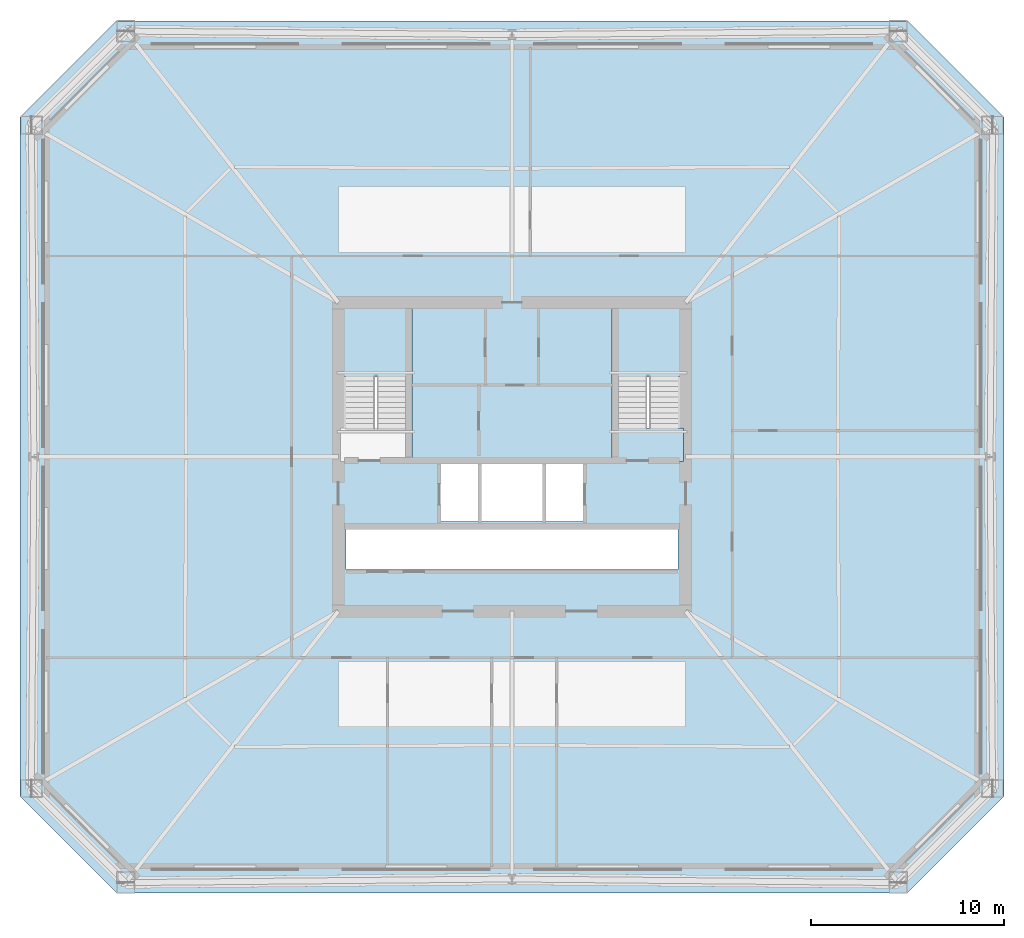
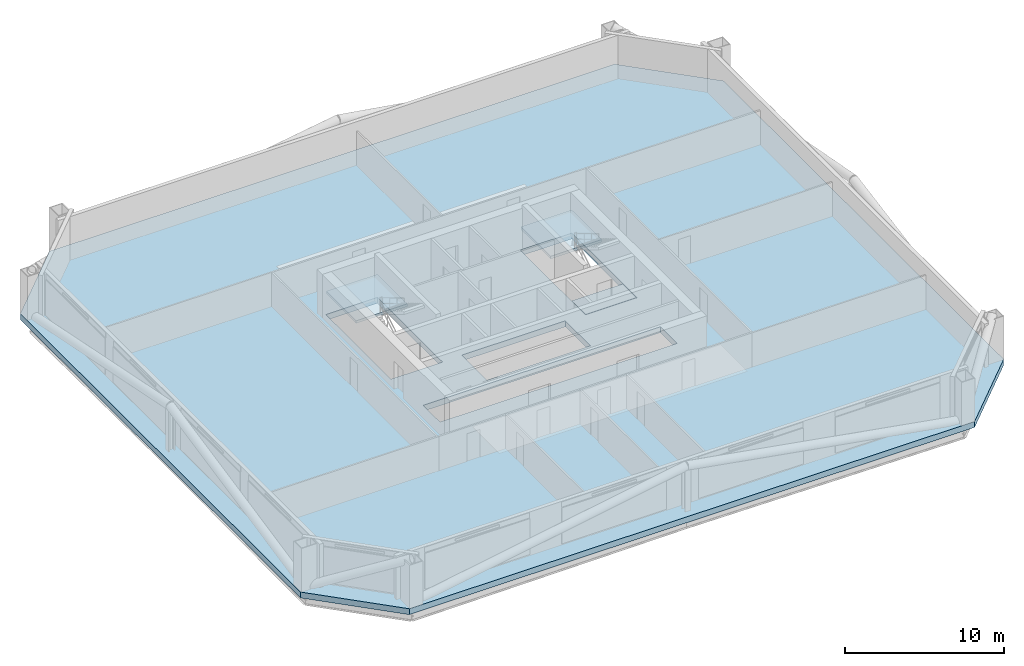
# One storey, part 3 of 8: 4 slabs, 2 elements without a shape of their own.
"""IFC4 building model written with IfcOpenShell, lengths in metres."""

import ifcopenshell
import ifcopenshell.guid

model = None  # the IFC model being written
_history = None  # IfcOwnerHistory: only IFC2X3 demands one
_inside = {}  # id of a spatial element -> (the spatial element, [elements in it])
_under = {}  # id of a project, library or spatial element -> (it, [spatial elements below it])
_declared = {}  # id of a project -> (the project, [libraries it declares])
_typed = {}  # id of a type object -> (the type object, [elements of that type])
_made_of = {}  # id of a material, layer set ... -> (it, [elements and type objects made of it])


def new_model(schema):
    """Start an empty IFC model of exactly this schema.

    Asked for "IFC4X3", IfcOpenShell would pick the latest addendum, in which some entities
    have other attributes; the version numbers below select the first issue.
    IFC2X3 requires an IfcOwnerHistory on every rooted entity: one is made here for all.
    """
    global model, _history
    if schema == "IFC4X3":
        model = ifcopenshell.file(schema_version=(4, 3, 0, 0))
    else:
        model = ifcopenshell.file(schema=schema)
    _inside.clear()
    _under.clear()
    _declared.clear()
    _typed.clear()
    _made_of.clear()
    _history = None
    if model.schema == "IFC2X3":
        org = make("IfcOrganization", Name="unknown")
        user = make(
            "IfcPersonAndOrganization",
            ThePerson=make("IfcPerson", FamilyName="unknown"),
            TheOrganization=org,
        )
        app = make(
            "IfcApplication",
            ApplicationDeveloper=org,
            Version="unknown",
            ApplicationFullName="unknown",
            ApplicationIdentifier="unknown",
        )
        _history = make(
            "IfcOwnerHistory",
            OwningUser=user,
            OwningApplication=app,
            ChangeAction="ADDED",
            CreationDate=0,
        )
    return model


def make(cls, **values):
    """One entity of the class cls with the attributes given. An attribute that is None is left unset."""
    return model.create_entity(
        cls, **{name: value for name, value in values.items() if value is not None}
    )


def rooted(cls, **values):
    """An entity with a GlobalId (a new one), such as an element, a storey or a relation."""
    return make(cls, GlobalId=ifcopenshell.guid.new(), OwnerHistory=_history, **values)


def si_unit(unit_type, name, prefix=None):
    """IfcSIUnit, for example si_unit("LENGTHUNIT", "METRE", prefix="MILLI")."""
    return make("IfcSIUnit", UnitType=unit_type, Prefix=prefix, Name=name)


def assignment(units):
    """IfcUnitAssignment: the units of a project."""
    return None if units is None else make("IfcUnitAssignment", Units=units)


def point(xyz):
    """IfcCartesianPoint."""
    return None if xyz is None else make("IfcCartesianPoint", Coordinates=xyz)


def direction(xyz):
    """IfcDirection."""
    return None if xyz is None else make("IfcDirection", DirectionRatios=xyz)


def frame(location, z_axis=None, x_axis=None):
    """IfcAxis2Placement3D, a coordinate frame: its origin and axes. An axis left out is left unset."""
    return make(
        "IfcAxis2Placement3D",
        Location=point(location),
        Axis=direction(z_axis),
        RefDirection=direction(x_axis),
    )


def origin():
    """The frame at (0, 0, 0) with its axes left unset."""
    return frame((0.0, 0.0, 0.0))


def place(relative_to, where):
    """IfcLocalPlacement: puts the frame where relative to a parent placement (None: the world)."""
    return make(
        "IfcLocalPlacement", PlacementRelTo=relative_to, RelativePlacement=where
    )


def context(
    kind, dimensions, precision=None, world=None, true_north=None, identifier=None
):
    """IfcGeometricRepresentationContext, for example the 3D "Model" context."""
    return make(
        "IfcGeometricRepresentationContext",
        ContextIdentifier=identifier,
        ContextType=kind,
        CoordinateSpaceDimension=dimensions,
        Precision=precision,
        WorldCoordinateSystem=world,
        TrueNorth=true_north,
    )


def subcontext(parent, identifier, kind, view, scale=None):
    """IfcGeometricRepresentationSubContext, for example "Body" below "Model"."""
    return make(
        "IfcGeometricRepresentationSubContext",
        ContextIdentifier=identifier,
        ContextType=kind,
        ParentContext=parent,
        TargetScale=scale,
        TargetView=view,
    )


def project(units=None, contexts=None):
    """IfcProject with its units and contexts."""
    return rooted(
        "IfcProject",
        Name="project",
        RepresentationContexts=contexts,
        UnitsInContext=assignment(units),
    )


def spatial(cls, under=None, at=None, **own):
    """A site, building, storey or space (cls), placed at a placement, below another one or the project."""
    s = rooted(cls, ObjectPlacement=at, **own)
    if under is not None:
        _under.setdefault(under.id(), (under, []))[1].append(s)
    return s


def polyline(points):
    """IfcPolyline through the points."""
    return make("IfcPolyline", Points=[point(p) for p in points])


def outline(outer, holes=None, kind="AREA"):
    """IfcArbitraryClosedProfileDef: a profile drawn as a closed curve; with holes, ...WithVoids."""
    if holes is None:
        return make("IfcArbitraryClosedProfileDef", ProfileType=kind, OuterCurve=outer)
    return make(
        "IfcArbitraryProfileDefWithVoids",
        ProfileType=kind,
        OuterCurve=outer,
        InnerCurves=holes,
    )


def extrude(swept, where, along, depth):
    """IfcExtrudedAreaSolid: the profile swept, set in the frame where, extruded along a direction by depth."""
    return make(
        "IfcExtrudedAreaSolid",
        SweptArea=swept,
        Position=where,
        ExtrudedDirection=direction(along),
        Depth=depth,
    )


def shape(context_of_items, identifier, shape_type, items):
    """IfcShapeRepresentation: the items that make up one representation, for example the "Body"."""
    return make(
        "IfcShapeRepresentation",
        ContextOfItems=context_of_items,
        RepresentationIdentifier=identifier,
        RepresentationType=shape_type,
        Items=items,
    )


def material(Name=None, Category=None):
    """IfcMaterial."""
    return make("IfcMaterial", Name=Name, Category=Category)


def layer(
    of_material, thickness, ventilated=None, Name=None, Category=None, Priority=None
):
    """IfcMaterialLayer: one layer of a wall or slab, of a material (None: an air gap)."""
    return make(
        "IfcMaterialLayer",
        Material=of_material,
        LayerThickness=thickness,
        IsVentilated=ventilated,
        Name=Name,
        Category=Category,
        Priority=Priority,
    )


def layer_set(layers, Name=None):
    """IfcMaterialLayerSet."""
    return make("IfcMaterialLayerSet", MaterialLayers=layers, LayerSetName=Name)


def made_of(thing, what):
    """Note that an element or type object is made of a material, layer set ...; save() writes the relation."""
    if what is not None:
        _made_of.setdefault(what.id(), (what, []))[1].append(thing)
    return thing


def type_object(cls, material=None, **own):
    """A type object (cls), such as IfcWallType, which elements share."""
    return made_of(rooted(cls, **own), material)


def element(
    cls,
    number,
    at=None,
    inside=None,
    cuts=None,
    type_object=None,
    material=None,
    context=None,
    identifier="Body",
    shape_type=None,
    held_by="IfcProductDefinitionShape",
    body=None,
    shapes=None,
    **own,
):
    """One element of the class cls, such as IfcWall. Its Tag is "e" and its number.

    at: its placement. inside: the storey or other place that contains it. cuts: it is an
    opening in that element (IfcRelVoidsElement). A single representation is given by context,
    identifier, shape_type and body (its items); several are given by shapes. held_by: the class
    of the entity that holds the representations. save() writes the other relations.
    """
    e = rooted(cls, Tag="e%d" % number, ObjectPlacement=at, **own)
    if body is not None:
        shapes = [shape(context, identifier, shape_type, body)]
    if shapes is not None:
        e.Representation = make(held_by, Representations=shapes)
    if inside is not None:
        _inside.setdefault(inside.id(), (inside, []))[1].append(e)
    if cuts is not None:
        rooted(
            "IfcRelVoidsElement", RelatingBuildingElement=cuts, RelatedOpeningElement=e
        )
    if type_object is not None:
        _typed.setdefault(type_object.id(), (type_object, []))[1].append(e)
    return made_of(e, material)


def aggregate(whole, parts):
    """IfcRelAggregates: a whole, such as a stair, and the parts it consists of."""
    return rooted("IfcRelAggregates", RelatingObject=whole, RelatedObjects=parts)


def save(model, path):
    """Write the relations noted so far, then the file.

    IfcRelAggregates (storeys below a building ...), IfcRelContainedInSpatialStructure (elements
    in a storey), IfcRelDefinesByType, IfcRelAssociatesMaterial and IfcRelDeclares: one each for
    every whole, place, type object, material and project.
    """
    for whole, parts in _under.values():
        aggregate(whole, parts)
    for where, things in _inside.values():
        rooted(
            "IfcRelContainedInSpatialStructure",
            RelatedElements=things,
            RelatingStructure=where,
        )
    for kind, things in _typed.values():
        rooted("IfcRelDefinesByType", RelatedObjects=things, RelatingType=kind)
    for what, things in _made_of.values():
        rooted("IfcRelAssociatesMaterial", RelatedObjects=things, RelatingMaterial=what)
    for by, libraries in _declared.values():
        rooted("IfcRelDeclares", RelatingContext=by, RelatedDefinitions=libraries)
    model.write(path)


model = new_model("IFC4")

# Units and contexts
model_context = context("Model", 3, precision=1e-05, world=origin(), true_north=direction((0.0, 1.0)))
body_context = subcontext(model_context, "Body", "Model", "MODEL_VIEW")
ifc_project = project(units=[si_unit("LENGTHUNIT", "METRE"), si_unit("AREAUNIT", "SQUARE_METRE"), si_unit("VOLUMEUNIT", "CUBIC_METRE"), si_unit("PLANEANGLEUNIT", "RADIAN"), si_unit("MASSUNIT", "GRAM", prefix="KILO")], contexts=[model_context])

# Site, building, storey
site_placement = place(None, origin())
site = spatial("IfcSite", under=ifc_project, at=site_placement, CompositionType="ELEMENT")
building_placement = place(site_placement, origin())
building = spatial("IfcBuilding", under=site, at=building_placement, Name="Caelvoria Tower", CompositionType="ELEMENT")
storey_placement = place(building_placement, frame((0.0, 0.0, 49.60009765625)))
storey = spatial("IfcBuildingStorey", under=building, at=storey_placement, Name="L12", CompositionType="ELEMENT", Elevation=49.60009765625)

# Slab
ifc_material_1 = material(Name="Concrete C50/60", Category="concrete")
ifc_layer_1 = layer(ifc_material_1, 0.449951171875, Name="Concrete C50/60")
ifc_layer_set_1 = layer_set([ifc_layer_1], Name="Podium Transfer Deck Slab 450 - Concrete C50/60")
slab_type_1 = type_object("IfcSlabType", Name="Podium Transfer Deck Slab 450", PredefinedType="FLOOR", material=ifc_layer_set_1)
slab_1_placement = place(storey_placement, frame((0.0, 0.0, -0.4501953125)))
element("IfcSlab", 1, at=slab_1_placement, inside=storey, type_object=slab_type_1, Name="Level L12 Structural Floor Slab", PredefinedType="FLOOR", context=body_context, shape_type="SweptSolid", body=[
    extrude(outline(polyline([(25.5, 9.39990234375), (66.5, 9.39990234375), (71.5, 14.39990234375), (71.5, 49.60009765625), (66.5, 54.60009765625), (25.5, 54.60009765625), (20.5, 49.60009765625), (20.5, 14.39990234375), (25.5, 9.39990234375)]), holes=[polyline([(37.080078125, 31.75), (40.820068359375, 31.75), (40.820068359375, 39.919921875), (37.080078125, 39.919921875), (37.080078125, 31.75)]), polyline([(51.179931640625, 31.75), (54.919921875, 31.75), (54.919921875, 39.919921875), (51.179931640625, 39.919921875), (51.179931640625, 31.75)]), polyline([(42.25, 28.64990234375), (49.75, 28.64990234375), (49.75, 31.800048828125), (42.25, 31.800048828125), (42.25, 28.64990234375)]), polyline([(37.39990234375, 26.14990234375), (54.60009765625, 26.14990234375), (54.60009765625, 28.25), (37.39990234375, 28.25), (37.39990234375, 26.14990234375)])]), origin(), (0.0, 0.0, 1.0), 0.4501953125),
])

# Stair, slab
ifc_material_2 = material(Name="Concrete C40/50", Category="concrete")
stair_type = type_object("IfcStairType", Name="Core Smokeproof Dogleg Stair Concrete C40/50", PredefinedType="HALF_TURN_STAIR", material=ifc_material_2)
stair_1_placement = place(storey_placement, origin())
stair_1 = element("IfcStair", 2, at=stair_1_placement, inside=storey, type_object=stair_type, Name="ST-01 Smokeproof Exit Stair L12", PredefinedType="HALF_TURN_STAIR")
ifc_layer_2 = layer(ifc_material_2, 0.199951171875, Name="Concrete C40/50")
ifc_layer_set_2 = layer_set([ifc_layer_2], Name="Stair Half and Floor Landing Slab 200 Concrete C40/50 - Concrete C40/50")
slab_type_2 = type_object("IfcSlabType", Name="Stair Half and Floor Landing Slab 200 Concrete C40/50", PredefinedType="LANDING", material=ifc_layer_set_2)
slab_2_placement = place(storey_placement, frame((0.0, 0.0, 1.599853515625)))
slab_2 = element("IfcSlab", 3, at=slab_2_placement, type_object=slab_type_2, Name="ST-01 landing 2", PredefinedType="LANDING", context=body_context, shape_type="SweptSolid", body=[
    extrude(outline(polyline([(37.10009765625, 36.14990234375), (40.800048828125, 36.14990234375), (40.800048828125, 39.89990234375), (37.10009765625, 39.89990234375), (37.10009765625, 36.14990234375)])), origin(), (0.0, 0.0, 1.0), 0.199951171875),
])
aggregate(stair_1, [slab_2])

# Stair, slabs
stair_2_placement = place(storey_placement, origin())
stair_2 = element("IfcStair", 4, at=stair_2_placement, inside=storey, type_object=stair_type, Name="ST-02 Smokeproof Exit Stair L12", PredefinedType="HALF_TURN_STAIR")
slab_3_placement = place(storey_placement, frame((0.0, 0.0, -0.2001953125)))
slab_3 = element("IfcSlab", 5, at=slab_3_placement, type_object=slab_type_2, Name="ST-02 landing 1", PredefinedType="LANDING", context=body_context, shape_type="SweptSolid", body=[
    extrude(outline(polyline([(51.199951171875, 31.77001953125), (54.89990234375, 31.77001953125), (54.89990234375, 33.5), (51.199951171875, 33.5), (51.199951171875, 31.77001953125)])), origin(), (0.0, 0.0, 1.0), 0.2001953125),
])
slab_4_placement = place(storey_placement, frame((0.0, 0.0, 1.599853515625)))
slab_4 = element("IfcSlab", 6, at=slab_4_placement, type_object=slab_type_2, Name="ST-02 landing 2", PredefinedType="LANDING", context=body_context, shape_type="SweptSolid", body=[
    extrude(outline(polyline([(51.199951171875, 36.14990234375), (54.89990234375, 36.14990234375), (54.89990234375, 39.89990234375), (51.199951171875, 39.89990234375), (51.199951171875, 36.14990234375)])), origin(), (0.0, 0.0, 1.0), 0.199951171875),
])
aggregate(stair_2, [slab_3, slab_4])

save(model, "model.ifc")
